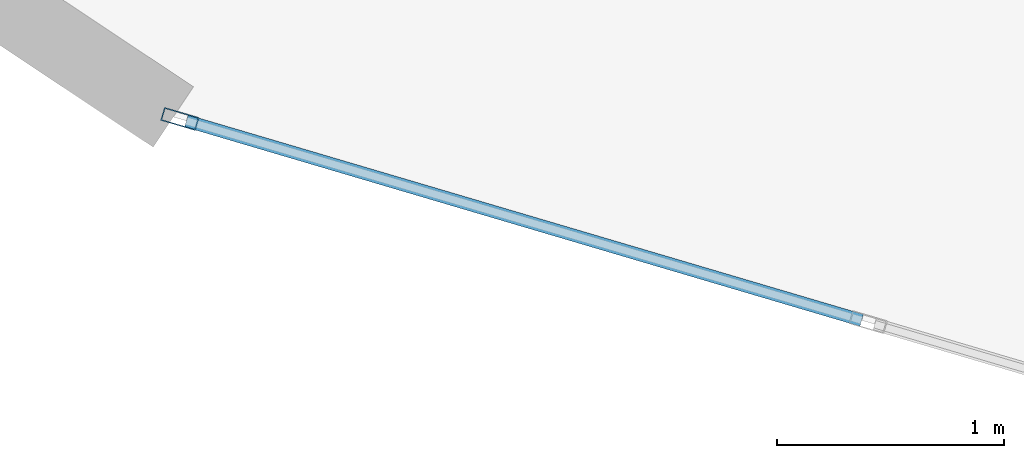
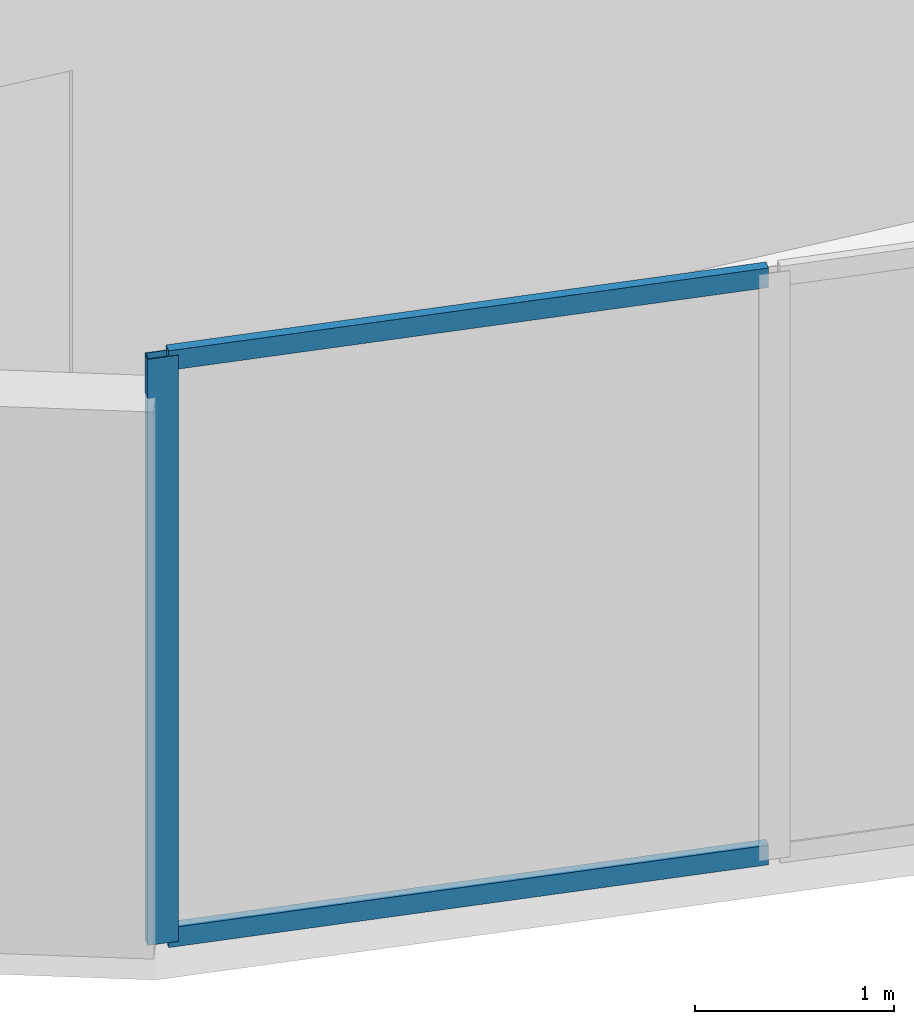
# One storey, part 2 of 24: 3 members, 1 element without a shape of its own.
"""IFC4 building model written with IfcOpenShell, lengths in metres."""

from ifc_helpers import new_model, si_unit, direction, frame, origin, origin_2d, place, context, subcontext, project, spatial, hollow_rectangle, extrude, source, transform, mapped, material, layer, layer_set, material_profile, profile_set, type_object, element, aggregate, save


model = new_model("IFC4")

# Units and contexts
model_context = context("Model", 3, precision=1e-05, world=origin(), true_north=direction((0.0, 1.0)))
body_context = subcontext(model_context, "Body", "Model", "MODEL_VIEW")
ifc_project = project(units=[si_unit("LENGTHUNIT", "METRE"), si_unit("AREAUNIT", "SQUARE_METRE"), si_unit("VOLUMEUNIT", "CUBIC_METRE"), si_unit("PLANEANGLEUNIT", "RADIAN"), si_unit("MASSUNIT", "GRAM", prefix="KILO")], contexts=[model_context])

# Site, building, storey
site_placement = place(None, origin())
site = spatial("IfcSite", under=ifc_project, at=site_placement, CompositionType="ELEMENT")
building_placement = place(site_placement, origin())
building = spatial("IfcBuilding", under=site, at=building_placement, Name="Solvirekh Grand Hotel", CompositionType="ELEMENT")
storey_placement = place(building_placement, frame((0.0, 0.0, 184.0)))
storey = spatial("IfcBuildingStorey", under=building, at=storey_placement, Name="L47", CompositionType="ELEMENT", Elevation=184.0)

# Curtain wall, members
ifc_material = material(Name="Anodized Bronze Aluminium 6063-T6", Category="aluminium")
ifc_layer = layer(ifc_material, 0.159912109375)
ifc_layer_set = layer_set([ifc_layer], Name="Anodized Bronze Aluminium 6063-T6")
curtain_wall_type = type_object("IfcCurtainWallType", Name="CW_Sys4_HighZoneFlushBronzeCW", PredefinedType="NOTDEFINED", material=ifc_layer_set)
curtain_wall_placement = place(storey_placement, origin())
curtain_wall = element("IfcCurtainWall", 1, at=curtain_wall_placement, inside=storey, type_object=curtain_wall_type, Name="L47 unitised bronze-glass curtain wall CW-L47-C18", PredefinedType="NOTDEFINED")
ifc_material_profile_1 = material_profile(ifc_material, hollow_rectangle(XDim=0.06005859375, YDim=0.159912109375, WallThickness=0.0048828125, at=origin_2d()), Name="ALU RHS 160X60X5")
ifc_profile_set_1 = profile_set([ifc_material_profile_1], Name="Anodized Bronze Aluminium 6063-T6")
member_type_1 = type_object("IfcMemberType", Name="CWMullion_Sys4", PredefinedType="MULLION", material=ifc_profile_set_1)
shared_shape_1 = source(origin(), body_context, "Body", "SweptSolid", [
    extrude(hollow_rectangle(XDim=0.06005859375, YDim=0.159912109375, WallThickness=0.0048828125, at=origin_2d()), origin(), (0.0, 0.0, 1.0), 3.60009765625),
])
member_1_placement = place(storey_placement, frame((-7.249267578125, -19.03955078125, 0.0), z_axis=(0.0, 0.0, 1.0), x_axis=(0.283310151236, 0.959028340669, 0.0)))
member_1 = element("IfcMember", 2, at=member_1_placement, type_object=member_type_1, Name="U04 mullion 1", PredefinedType="MULLION", context=body_context, shape_type="MappedRepresentation", body=[
    mapped(shared_shape_1, transform((0.0, 0.0, 0.0), x_axis=(1.0, 0.0, 0.0), y_axis=(0.0, 1.0, 0.0), z_axis=(0.0, 0.0, 1.0), scale=1.0)),
])
ifc_material_profile_2 = material_profile(ifc_material, hollow_rectangle(XDim=0.054931640625, YDim=0.1201171875, WallThickness=0.00390625, at=origin_2d()), Name="ALU RHS 120X55X4")
ifc_profile_set_2 = profile_set([ifc_material_profile_2], Name="Anodized Bronze Aluminium 6063-T6")
member_type_2 = type_object("IfcMemberType", Name="CWTransom_Sys4", PredefinedType="USERDEFINED", material=ifc_profile_set_2)
shared_shape_2 = source(origin(), body_context, "Body", "SweptSolid", [
    extrude(hollow_rectangle(XDim=0.054931640625, YDim=0.1201171875, WallThickness=0.00390625, at=origin_2d()), origin(), (0.0, 0.0, 1.0), 3.1044921875),
])
member_2_placement = place(storey_placement, frame((-7.220458984375, -19.048095703125, 0.027587890625), z_axis=(0.959040531707, -0.283268880296, 0.0), x_axis=(0.283268880296, 0.959040531707, 0.0)))
member_2 = element("IfcMember", 3, at=member_2_placement, type_object=member_type_2, Name="U04 transom 1.1", ObjectType="TRANSOM", PredefinedType="USERDEFINED", context=body_context, shape_type="MappedRepresentation", body=[
    mapped(shared_shape_2, transform((0.0, 0.0, 0.0), x_axis=(1.0, 0.0, 0.0), y_axis=(0.0, 1.0, 0.0), z_axis=(0.0, 0.0, 1.0), scale=1.0)),
])
member_3_placement = place(storey_placement, frame((-7.220458984375, -19.048095703125, 3.572509765625), z_axis=(0.959040531707, -0.283268880296, 0.0), x_axis=(0.283268880296, 0.959040531707, 0.0)))
member_3 = element("IfcMember", 4, at=member_3_placement, type_object=member_type_2, Name="U04 transom 1.2", ObjectType="TRANSOM", PredefinedType="USERDEFINED", context=body_context, shape_type="MappedRepresentation", body=[
    mapped(shared_shape_2, transform((0.0, 0.0, 0.0), x_axis=(1.0, 0.0, 0.0), y_axis=(0.0, 1.0, 0.0), z_axis=(0.0, 0.0, 1.0), scale=1.0)),
])
aggregate(curtain_wall, [member_1, member_2, member_3])

save(model, "model.ifc")
